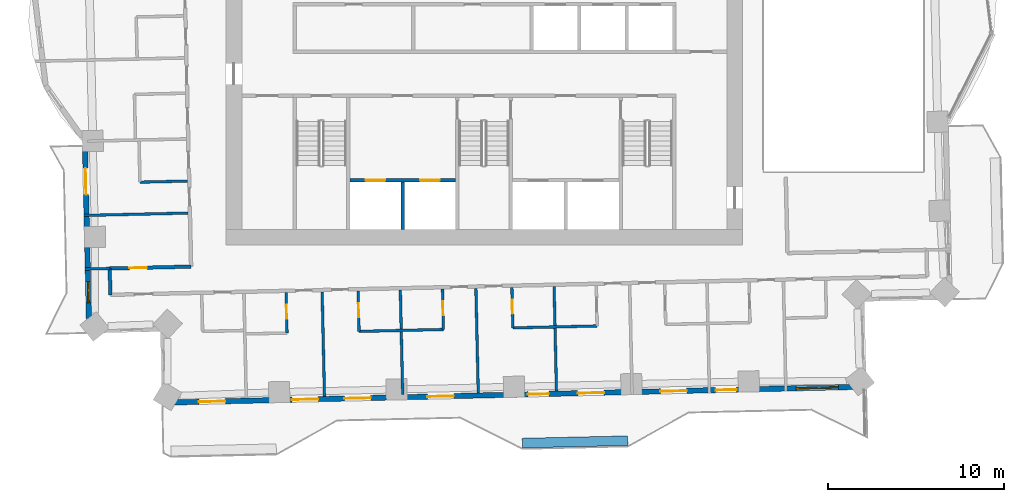
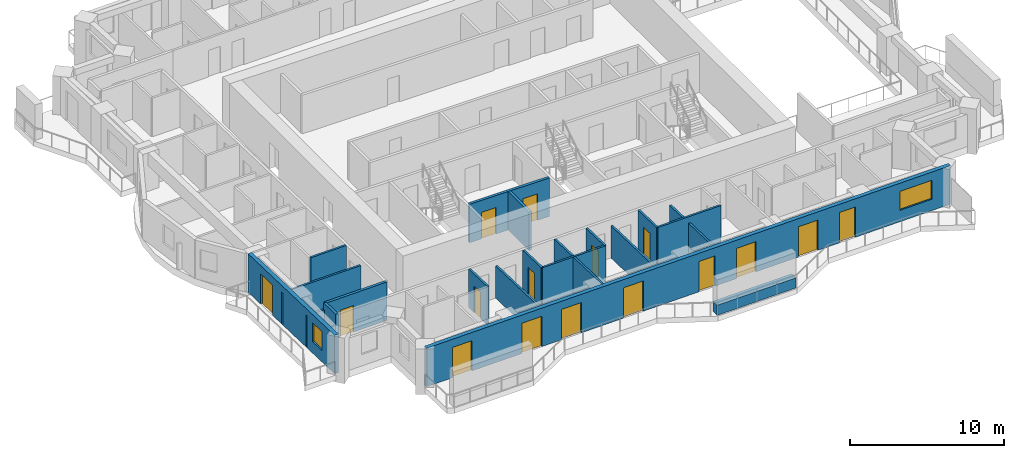
# One storey, part 6 of 16: 20 walls, 16 doors, 2 windows, 18 openings.
"""IFC4 building model written with IfcOpenShell, lengths in metres."""

from ifc_helpers import new_model, si_unit, direction, frame, frame_2d, origin, place, context, subcontext, project, spatial, rectangle, extrude, material, layer, layer_set, type_object, element, fill, save


model = new_model("IFC4")

# Units and contexts
model_context = context("Model", 3, precision=1e-05, world=origin(), true_north=direction((0.0, 1.0)))
body_context = subcontext(model_context, "Body", "Model", "MODEL_VIEW")
ifc_project = project(units=[si_unit("LENGTHUNIT", "METRE"), si_unit("AREAUNIT", "SQUARE_METRE"), si_unit("VOLUMEUNIT", "CUBIC_METRE"), si_unit("PLANEANGLEUNIT", "RADIAN"), si_unit("MASSUNIT", "GRAM", prefix="KILO")], contexts=[model_context])

# Site, building, storey
site_placement = place(None, origin())
site = spatial("IfcSite", under=ifc_project, at=site_placement, CompositionType="ELEMENT")
building_placement = place(site_placement, origin())
building = spatial("IfcBuilding", under=site, at=building_placement, Name="Mangrove Gate Tower", CompositionType="ELEMENT")
storey_placement = place(building_placement, frame((0.0, 0.0, 189.699951171875)))
storey = spatial("IfcBuildingStorey", under=building, at=storey_placement, Name="L48", CompositionType="ELEMENT", Elevation=189.699951171875)

# Wall, openings, doors
ifc_material_1 = material(Name="Concrete C60/75", Category="concrete")
ifc_layer_1 = layer(ifc_material_1, 0.199951171875)
ifc_layer_set_1 = layer_set([ifc_layer_1], Name="Core shaft wall 200 C60/75")
wall_type_1 = type_object("IfcWallType", Name="Core shaft wall 200 C60/75", PredefinedType="SHEAR", material=ifc_layer_set_1)
wall_1_placement = place(storey_placement, frame((-7.64990234375, -8.0, 0.0), z_axis=(0.0, 0.0, 1.0), x_axis=(1.0, 0.0, 0.0)))
wall_1 = element("IfcWall", 1, at=wall_1_placement, inside=storey, type_object=wall_type_1, Name="WALL-L48-CORE-15", PredefinedType="SHEAR", context=body_context, shape_type="SweptSolid", body=[
    extrude(rectangle(XDim=6.0, YDim=0.199951171875, at=frame_2d((3.0, 0.0))), origin(), (0.0, 0.0, 1.0), 3.050048828125),
])
opening_1_placement = place(wall_1_placement, frame((0.89990234375, 0.0, 0.0)))
opening_1 = element("IfcOpeningElement", 2, at=opening_1_placement, cuts=wall_1, Name="Opening LD", PredefinedType="OPENING", context=body_context, shape_type="SweptSolid", body=[
    extrude(rectangle(XDim=1.10009765625, YDim=2.10009765625, at=frame_2d((0.550048828125, 1.050048828125))), frame((0.0, 0.10986328125, 0.0), z_axis=(0.0, -1.0, 0.0), x_axis=(1.0, 0.0, 0.0)), (0.0, 0.0, 1.0), 0.219970703125),
])
opening_2_placement = place(wall_1_placement, frame((4.0, 0.0, 0.0)))
opening_2 = element("IfcOpeningElement", 3, at=opening_2_placement, cuts=wall_1, Name="Opening LD", PredefinedType="OPENING", context=body_context, shape_type="SweptSolid", body=[
    extrude(rectangle(XDim=1.10009765625, YDim=2.10009765625, at=frame_2d((0.550048828125, 1.050048828125))), frame((0.0, 0.10986328125, 0.0), z_axis=(0.0, -1.0, 0.0), x_axis=(1.0, 0.0, 0.0)), (0.0, 0.0, 1.0), 0.219970703125),
])
ifc_material_2 = material(Name="Stainless steel 316", Category="steel")
door_type_1 = type_object("IfcDoorType", Name="Lift landing door 1100x2100", OperationType="SLIDING_TO_LEFT", PredefinedType="DOOR", material=ifc_material_2)
door_1_placement = place(opening_1_placement, origin())
door_1 = element("IfcDoor", 4, at=door_1_placement, inside=storey, type_object=door_type_1, Name="Landing door LD SVL1", OperationType="SLIDING_TO_LEFT", OverallHeight=2.10009765625, OverallWidth=1.10009765625, PredefinedType="DOOR", context=body_context, shape_type="SweptSolid", body=[
    extrude(rectangle(XDim=1.10009765625, YDim=2.10009765625, at=frame_2d((0.550048828125, 1.050048828125))), frame((0.0, 0.02490234375, 0.0), z_axis=(0.0, -1.0, 0.0), x_axis=(1.0, 0.0, 0.0)), (0.0, 0.0, 1.0), 0.050048828125),
])
fill(opening_1, door_1)
door_2_placement = place(opening_2_placement, origin())
door_2 = element("IfcDoor", 5, at=door_2_placement, inside=storey, type_object=door_type_1, Name="Landing door LD SVL2", OperationType="SLIDING_TO_LEFT", OverallHeight=2.10009765625, OverallWidth=1.10009765625, PredefinedType="DOOR", context=body_context, shape_type="SweptSolid", body=[
    extrude(rectangle(XDim=1.10009765625, YDim=2.10009765625, at=frame_2d((0.550048828125, 1.050048828125))), frame((0.0, 0.02490234375, 0.0), z_axis=(0.0, -1.0, 0.0), x_axis=(1.0, 0.0, 0.0)), (0.0, 0.0, 1.0), 0.050048828125),
])
fill(opening_2, door_2)

# Walls
wall_2_placement = place(storey_placement, frame((-4.64990234375, -10.800048828125, 0.0), z_axis=(0.0, 0.0, 1.0), x_axis=(0.0, 1.0, 0.0)))
element("IfcWall", 6, at=wall_2_placement, inside=storey, type_object=wall_type_1, Name="WALL-L48-CORE-16", PredefinedType="SHEAR", context=body_context, shape_type="SweptSolid", body=[
    extrude(rectangle(XDim=2.699951171875, YDim=0.199951171875, at=frame_2d((1.35009765625, 0.0))), origin(), (0.0, 0.0, 1.0), 3.050048828125),
])
ifc_material_3 = material(Name="Gypsum board on steel stud, EI 60", Category="steel")
ifc_layer_2 = layer(ifc_material_3, 0.199951171875)
ifc_layer_set_2 = layer_set([ifc_layer_2], Name="Corridor wall EI 60")
wall_type_2 = type_object("IfcWallType", Name="Corridor wall EI 60", PredefinedType="PARTITIONING", material=ifc_layer_set_2)
wall_3_placement = place(storey_placement, frame((-21.279052734375, -14.52294921875, 0.0), z_axis=(0.0, 0.0, 1.0), x_axis=(-0.022632637625, 0.99974384905, 0.0)))
element("IfcWall", 7, at=wall_3_placement, inside=storey, type_object=wall_type_2, Name="WALL-L48-025", PredefinedType="PARTITIONING", context=body_context, shape_type="SweptSolid", body=[
    extrude(rectangle(XDim=1.49951171875, YDim=0.199951171875, at=frame_2d((0.749755859375, 0.0))), origin(), (0.0, 0.0, 1.0), 3.050048828125),
])

# Wall, opening, door
wall_4_placement = place(storey_placement, frame((-21.31298828125, -13.02392578125, 0.0), z_axis=(0.0, 0.0, 1.0), x_axis=(0.999738699021, 0.022858995594, 0.0)))
wall_4 = element("IfcWall", 8, at=wall_4_placement, inside=storey, type_object=wall_type_2, Name="WALL-L48-028", PredefinedType="PARTITIONING", context=body_context, shape_type="SweptSolid", body=[
    extrude(rectangle(XDim=4.63525390625, YDim=0.199951171875, at=frame_2d((2.317626953125, 0.0))), origin(), (0.0, 0.0, 1.0), 3.050048828125),
])
opening_3_placement = place(wall_4_placement, frame((1.117919921875, 0.0, 0.0)))
opening_3 = element("IfcOpeningElement", 9, at=opening_3_placement, cuts=wall_4, Name="Opening AD", PredefinedType="OPENING", context=body_context, shape_type="SweptSolid", body=[
    extrude(rectangle(XDim=1.0, YDim=2.10009765625, at=frame_2d((0.5, 1.050048828125))), frame((0.0, 0.10986328125, 0.0), z_axis=(0.0, -1.0, 0.0), x_axis=(1.0, 0.0, 0.0)), (0.0, 0.0, 1.0), 0.219970703125),
])
ifc_material_4 = material(Name="Timber door leaf", Category="wood")
door_type_2 = type_object("IfcDoorType", Name="Amenity door 1000", OperationType="SINGLE_SWING_LEFT", PredefinedType="DOOR", material=ifc_material_4)
door_3_placement = place(opening_3_placement, origin())
door_3 = element("IfcDoor", 10, at=door_3_placement, inside=storey, type_object=door_type_2, Name="DOOR-L48-STU-c5c", OperationType="SINGLE_SWING_LEFT", OverallHeight=2.10009765625, OverallWidth=1.0, PredefinedType="DOOR", context=body_context, shape_type="SweptSolid", body=[
    extrude(rectangle(XDim=1.0, YDim=2.10009765625, at=frame_2d((0.5, 1.050048828125))), frame((0.0, 0.02490234375, 0.0), z_axis=(0.0, -1.0, 0.0), x_axis=(1.0, 0.0, 0.0)), (0.0, 0.0, 1.0), 0.050048828125),
])
fill(opening_3, door_3)

# Wall, openings, door, window
ifc_material_5 = material(Name="Limestone", Category="masonry")
ifc_layer_3 = layer(ifc_material_5, 0.0400390625, Name="Limestone cladding")
ifc_material_6 = material(Name="Ventilated air gap")
ifc_layer_4 = layer(ifc_material_6, 0.0400390625, Name="Ventilated cavity")
ifc_material_7 = material(Name="Mineral wool insulation")
ifc_layer_5 = layer(ifc_material_7, 0.06005859375, Name="Insulation")
ifc_material_8 = material(Name="Breather membrane")
ifc_layer_6 = layer(ifc_material_8, 0.001953125, Name="Breather membrane")
ifc_material_9 = material(Name="Concrete C20/25 blockwork", Category="masonry")
ifc_layer_7 = layer(ifc_material_9, 0.14990234375, Name="Blockwork backing wall")
ifc_material_10 = material(Name="Gypsum plaster")
ifc_layer_8 = layer(ifc_material_10, 0.008056640625, Name="Internal plaster")
ifc_layer_set_3 = layer_set([ifc_layer_3, ifc_layer_4, ifc_layer_5, ifc_layer_6, ifc_layer_7, ifc_layer_8], Name="External wall 300 limestone cladding")
wall_type_3 = type_object("IfcWallType", Name="External wall 300 limestone cladding", PredefinedType="SOLIDWALL", material=ifc_layer_set_3)
wall_5_placement = place(storey_placement, frame((-22.72900390625, -5.72509765625, 0.0), z_axis=(0.0, 0.0, 1.0), x_axis=(0.022726014582, -0.999741730779, 0.0)))
wall_5 = element("IfcWall", 11, at=wall_5_placement, inside=storey, type_object=wall_type_3, Name="WALL-L48-W10", PredefinedType="SOLIDWALL", context=body_context, shape_type="SweptSolid", body=[
    extrude(rectangle(XDim=10.82861328125, YDim=0.300048828125, at=frame_2d((5.414306640625, 0.0))), origin(), (0.0, 0.0, 1.0), 3.050048828125),
])
opening_4_placement = place(wall_5_placement, frame((1.592041015625, 0.0, 0.0)))
opening_4 = element("IfcOpeningElement", 12, at=opening_4_placement, cuts=wall_5, Name="Opening BD1", PredefinedType="OPENING", context=body_context, shape_type="SweptSolid", body=[
    extrude(rectangle(XDim=1.5, YDim=2.39990234375, at=frame_2d((0.75, 1.199951171875))), frame((0.0, 0.159912109375, 0.0), z_axis=(0.0, -1.0, 0.0), x_axis=(1.0, 0.0, 0.0)), (0.0, 0.0, 1.0), 0.320068359375),
])
opening_5_placement = place(wall_5_placement, frame((8.050048828125, 0.0, 0.89990234375)))
opening_5 = element("IfcOpeningElement", 13, at=opening_5_placement, cuts=wall_5, Name="Opening W1", PredefinedType="OPENING", context=body_context, shape_type="SweptSolid", body=[
    extrude(rectangle(XDim=1.199951171875, YDim=1.5, at=frame_2d((0.60009765625, 0.75))), frame((0.0, 0.159912109375, 0.0), z_axis=(0.0, -1.0, 0.0), x_axis=(1.0, 0.0, 0.0)), (0.0, 0.0, 1.0), 0.320068359375),
])
ifc_material_11 = material(Name="Aluminium frame with laminated clear glass", Category="aluminium")
door_type_3 = type_object("IfcDoorType", Name="Balcony sliding door 1500x2400", OperationType="SLIDING_TO_LEFT", PredefinedType="DOOR", material=ifc_material_11)
door_4_placement = place(opening_4_placement, origin())
door_4 = element("IfcDoor", 14, at=door_4_placement, inside=storey, type_object=door_type_3, Name="DOOR-L48-W10-1", OperationType="SLIDING_TO_LEFT", OverallHeight=2.39990234375, OverallWidth=1.5, PredefinedType="DOOR", context=body_context, shape_type="SweptSolid", body=[
    extrude(rectangle(XDim=1.5, YDim=2.39990234375, at=frame_2d((0.75, 1.199951171875))), frame((0.0, 0.02490234375, 0.0), z_axis=(0.0, -1.0, 0.0), x_axis=(1.0, 0.0, 0.0)), (0.0, 0.0, 1.0), 0.050048828125),
])
fill(opening_4, door_4)
ifc_material_12 = material(Name="Aluminium frame with double-glazed low-e glass", Category="aluminium")
window_type_1 = type_object("IfcWindowType", Name="Side lite 1200x1500", PartitioningType="SINGLE_PANEL", PredefinedType="WINDOW", material=ifc_material_12)
window_1_placement = place(opening_5_placement, origin())
window_1 = element("IfcWindow", 15, at=window_1_placement, inside=storey, type_object=window_type_1, Name="WIN-L48-W10-2", OverallHeight=1.5, OverallWidth=1.199951171875, PartitioningType="SINGLE_PANEL", PredefinedType="WINDOW", context=body_context, shape_type="SweptSolid", body=[
    extrude(rectangle(XDim=1.199951171875, YDim=1.5, at=frame_2d((0.60009765625, 0.75))), frame((0.0, 0.030029296875, 0.0), z_axis=(0.0, -1.0, 0.0), x_axis=(1.0, 0.0, 0.0)), (0.0, 0.0, 1.0), 0.06005859375),
])
fill(opening_5, window_1)

# Wall, openings, doors, window
wall_6_placement = place(storey_placement, frame((-18.18896484375, -20.655029296875, 0.0), z_axis=(0.0, 0.0, 1.0), x_axis=(0.999742285265, 0.022701609063, 0.0)))
wall_6 = element("IfcWall", 16, at=wall_6_placement, inside=storey, type_object=wall_type_3, Name="WALL-L48-S13", PredefinedType="SOLIDWALL", context=body_context, shape_type="SweptSolid", body=[
    extrude(rectangle(XDim=39.7802734375, YDim=0.300048828125, at=frame_2d((19.89013671875, 0.0))), origin(), (0.0, 0.0, 1.0), 3.050048828125),
])
opening_6_placement = place(wall_6_placement, frame((1.947998046875, 0.0, 0.0)))
opening_6 = element("IfcOpeningElement", 17, at=opening_6_placement, cuts=wall_6, Name="Opening BD1", PredefinedType="OPENING", context=body_context, shape_type="SweptSolid", body=[
    extrude(rectangle(XDim=1.5, YDim=2.39990234375, at=frame_2d((0.75, 1.199951171875))), frame((0.0, 0.159912109375, 0.0), z_axis=(0.0, -1.0, 0.0), x_axis=(1.0, 0.0, 0.0)), (0.0, 0.0, 1.0), 0.320068359375),
])
opening_7_placement = place(wall_6_placement, frame((7.239990234375, 0.0, 0.0)))
opening_7 = element("IfcOpeningElement", 18, at=opening_7_placement, cuts=wall_6, Name="Opening BD1", PredefinedType="OPENING", context=body_context, shape_type="SweptSolid", body=[
    extrude(rectangle(XDim=1.5, YDim=2.39990234375, at=frame_2d((0.75, 1.199951171875))), frame((0.0, 0.159912109375, 0.0), z_axis=(0.0, -1.0, 0.0), x_axis=(1.0, 0.0, 0.0)), (0.0, 0.0, 1.0), 0.320068359375),
])
opening_8_placement = place(wall_6_placement, frame((10.22998046875, 0.0, 0.0)))
opening_8 = element("IfcOpeningElement", 19, at=opening_8_placement, cuts=wall_6, Name="Opening BD1", PredefinedType="OPENING", context=body_context, shape_type="SweptSolid", body=[
    extrude(rectangle(XDim=1.5, YDim=2.39990234375, at=frame_2d((0.75, 1.199951171875))), frame((0.0, 0.159912109375, 0.0), z_axis=(0.0, -1.0, 0.0), x_axis=(1.0, 0.0, 0.0)), (0.0, 0.0, 1.0), 0.320068359375),
])
opening_9_placement = place(wall_6_placement, frame((14.955078125, 0.0, 0.0)))
opening_9 = element("IfcOpeningElement", 20, at=opening_9_placement, cuts=wall_6, Name="Opening BD1", PredefinedType="OPENING", context=body_context, shape_type="SweptSolid", body=[
    extrude(rectangle(XDim=1.5, YDim=2.39990234375, at=frame_2d((0.75, 1.199951171875))), frame((0.0, 0.159912109375, 0.0), z_axis=(0.0, -1.0, 0.0), x_axis=(1.0, 0.0, 0.0)), (0.0, 0.0, 1.0), 0.320068359375),
])
opening_10_placement = place(wall_6_placement, frame((20.669921875, 0.0, 0.0)))
opening_10 = element("IfcOpeningElement", 21, at=opening_10_placement, cuts=wall_6, Name="Opening BD2", PredefinedType="OPENING", context=body_context, shape_type="SweptSolid", body=[
    extrude(rectangle(XDim=1.199951171875, YDim=2.39990234375, at=frame_2d((0.60009765625, 1.199951171875))), frame((0.0, 0.159912109375, 0.0), z_axis=(0.0, -1.0, 0.0), x_axis=(1.0, 0.0, 0.0)), (0.0, 0.0, 1.0), 0.320068359375),
])
opening_11_placement = place(wall_6_placement, frame((23.510009765625, 0.0, 0.0)))
opening_11 = element("IfcOpeningElement", 22, at=opening_11_placement, cuts=wall_6, Name="Opening BD1", PredefinedType="OPENING", context=body_context, shape_type="SweptSolid", body=[
    extrude(rectangle(XDim=1.5, YDim=2.39990234375, at=frame_2d((0.75, 1.199951171875))), frame((0.0, 0.159912109375, 0.0), z_axis=(0.0, -1.0, 0.0), x_axis=(1.0, 0.0, 0.0)), (0.0, 0.0, 1.0), 0.320068359375),
])
opening_12_placement = place(wall_6_placement, frame((28.2099609375, 0.0, 0.0)))
opening_12 = element("IfcOpeningElement", 23, at=opening_12_placement, cuts=wall_6, Name="Opening BD1", PredefinedType="OPENING", context=body_context, shape_type="SweptSolid", body=[
    extrude(rectangle(XDim=1.5, YDim=2.39990234375, at=frame_2d((0.75, 1.199951171875))), frame((0.0, 0.159912109375, 0.0), z_axis=(0.0, -1.0, 0.0), x_axis=(1.0, 0.0, 0.0)), (0.0, 0.0, 1.0), 0.320068359375),
])
opening_13_placement = place(wall_6_placement, frame((31.35009765625, 0.0, 0.0)))
opening_13 = element("IfcOpeningElement", 24, at=opening_13_placement, cuts=wall_6, Name="Opening BD2", PredefinedType="OPENING", context=body_context, shape_type="SweptSolid", body=[
    extrude(rectangle(XDim=1.199951171875, YDim=2.39990234375, at=frame_2d((0.60009765625, 1.199951171875))), frame((0.0, 0.159912109375, 0.0), z_axis=(0.0, -1.0, 0.0), x_axis=(1.0, 0.0, 0.0)), (0.0, 0.0, 1.0), 0.320068359375),
])
opening_14_placement = place(wall_6_placement, frame((35.93994140625, 0.0, 0.89990234375)))
opening_14 = element("IfcOpeningElement", 25, at=opening_14_placement, cuts=wall_6, Name="Opening W2", PredefinedType="OPENING", context=body_context, shape_type="SweptSolid", body=[
    extrude(rectangle(XDim=2.39990234375, YDim=1.5, at=frame_2d((1.199951171875, 0.75))), frame((0.0, 0.159912109375, 0.0), z_axis=(0.0, -1.0, 0.0), x_axis=(1.0, 0.0, 0.0)), (0.0, 0.0, 1.0), 0.320068359375),
])
ifc_material_13 = material(Name="Aluminium frame with laminated clear glass", Category="aluminium")
door_type_4 = type_object("IfcDoorType", Name="Balcony sliding door 1200x2400", OperationType="SLIDING_TO_LEFT", PredefinedType="DOOR", material=ifc_material_13)
door_5_placement = place(opening_10_placement, origin())
door_5 = element("IfcDoor", 26, at=door_5_placement, inside=storey, type_object=door_type_4, Name="DOOR-L48-S13-5", OperationType="SLIDING_TO_LEFT", OverallHeight=2.39990234375, OverallWidth=1.199951171875, PredefinedType="DOOR", context=body_context, shape_type="SweptSolid", body=[
    extrude(rectangle(XDim=1.199951171875, YDim=2.39990234375, at=frame_2d((0.60009765625, 1.199951171875))), frame((0.0, 0.02490234375, 0.0), z_axis=(0.0, -1.0, 0.0), x_axis=(1.0, 0.0, 0.0)), (0.0, 0.0, 1.0), 0.050048828125),
])
fill(opening_10, door_5)
door_6_placement = place(opening_13_placement, origin())
door_6 = element("IfcDoor", 27, at=door_6_placement, inside=storey, type_object=door_type_4, Name="DOOR-L48-S13-8", OperationType="SLIDING_TO_LEFT", OverallHeight=2.39990234375, OverallWidth=1.199951171875, PredefinedType="DOOR", context=body_context, shape_type="SweptSolid", body=[
    extrude(rectangle(XDim=1.199951171875, YDim=2.39990234375, at=frame_2d((0.60009765625, 1.199951171875))), frame((0.0, 0.02490234375, 0.0), z_axis=(0.0, -1.0, 0.0), x_axis=(1.0, 0.0, 0.0)), (0.0, 0.0, 1.0), 0.050048828125),
])
fill(opening_13, door_6)
door_7_placement = place(opening_6_placement, origin())
door_7 = element("IfcDoor", 28, at=door_7_placement, inside=storey, type_object=door_type_3, Name="DOOR-L48-S13-1", OperationType="SLIDING_TO_LEFT", OverallHeight=2.39990234375, OverallWidth=1.5, PredefinedType="DOOR", context=body_context, shape_type="SweptSolid", body=[
    extrude(rectangle(XDim=1.5, YDim=2.39990234375, at=frame_2d((0.75, 1.199951171875))), frame((0.0, 0.02490234375, 0.0), z_axis=(0.0, -1.0, 0.0), x_axis=(1.0, 0.0, 0.0)), (0.0, 0.0, 1.0), 0.050048828125),
])
fill(opening_6, door_7)
door_8_placement = place(opening_7_placement, origin())
door_8 = element("IfcDoor", 29, at=door_8_placement, inside=storey, type_object=door_type_3, Name="DOOR-L48-S13-2", OperationType="SLIDING_TO_LEFT", OverallHeight=2.39990234375, OverallWidth=1.5, PredefinedType="DOOR", context=body_context, shape_type="SweptSolid", body=[
    extrude(rectangle(XDim=1.5, YDim=2.39990234375, at=frame_2d((0.75, 1.199951171875))), frame((0.0, 0.02490234375, 0.0), z_axis=(0.0, -1.0, 0.0), x_axis=(1.0, 0.0, 0.0)), (0.0, 0.0, 1.0), 0.050048828125),
])
fill(opening_7, door_8)
door_9_placement = place(opening_8_placement, origin())
door_9 = element("IfcDoor", 30, at=door_9_placement, inside=storey, type_object=door_type_3, Name="DOOR-L48-S13-3", OperationType="SLIDING_TO_LEFT", OverallHeight=2.39990234375, OverallWidth=1.5, PredefinedType="DOOR", context=body_context, shape_type="SweptSolid", body=[
    extrude(rectangle(XDim=1.5, YDim=2.39990234375, at=frame_2d((0.75, 1.199951171875))), frame((0.0, 0.02490234375, 0.0), z_axis=(0.0, -1.0, 0.0), x_axis=(1.0, 0.0, 0.0)), (0.0, 0.0, 1.0), 0.050048828125),
])
fill(opening_8, door_9)
door_10_placement = place(opening_9_placement, origin())
door_10 = element("IfcDoor", 31, at=door_10_placement, inside=storey, type_object=door_type_3, Name="DOOR-L48-S13-4", OperationType="SLIDING_TO_LEFT", OverallHeight=2.39990234375, OverallWidth=1.5, PredefinedType="DOOR", context=body_context, shape_type="SweptSolid", body=[
    extrude(rectangle(XDim=1.5, YDim=2.39990234375, at=frame_2d((0.75, 1.199951171875))), frame((0.0, 0.02490234375, 0.0), z_axis=(0.0, -1.0, 0.0), x_axis=(1.0, 0.0, 0.0)), (0.0, 0.0, 1.0), 0.050048828125),
])
fill(opening_9, door_10)
door_11_placement = place(opening_11_placement, origin())
door_11 = element("IfcDoor", 32, at=door_11_placement, inside=storey, type_object=door_type_3, Name="DOOR-L48-S13-6", OperationType="SLIDING_TO_LEFT", OverallHeight=2.39990234375, OverallWidth=1.5, PredefinedType="DOOR", context=body_context, shape_type="SweptSolid", body=[
    extrude(rectangle(XDim=1.5, YDim=2.39990234375, at=frame_2d((0.75, 1.199951171875))), frame((0.0, 0.02490234375, 0.0), z_axis=(0.0, -1.0, 0.0), x_axis=(1.0, 0.0, 0.0)), (0.0, 0.0, 1.0), 0.050048828125),
])
fill(opening_11, door_11)
door_12_placement = place(opening_12_placement, origin())
door_12 = element("IfcDoor", 33, at=door_12_placement, inside=storey, type_object=door_type_3, Name="DOOR-L48-S13-7", OperationType="SLIDING_TO_LEFT", OverallHeight=2.39990234375, OverallWidth=1.5, PredefinedType="DOOR", context=body_context, shape_type="SweptSolid", body=[
    extrude(rectangle(XDim=1.5, YDim=2.39990234375, at=frame_2d((0.75, 1.199951171875))), frame((0.0, 0.02490234375, 0.0), z_axis=(0.0, -1.0, 0.0), x_axis=(1.0, 0.0, 0.0)), (0.0, 0.0, 1.0), 0.050048828125),
])
fill(opening_12, door_12)
ifc_material_14 = material(Name="Aluminium frame with double-glazed low-e glass", Category="aluminium")
window_type_2 = type_object("IfcWindowType", Name="Corner room window 2400x1500", PartitioningType="DOUBLE_PANEL_VERTICAL", PredefinedType="WINDOW", material=ifc_material_14)
window_2_placement = place(opening_14_placement, origin())
window_2 = element("IfcWindow", 34, at=window_2_placement, inside=storey, type_object=window_type_2, Name="WIN-L48-S13-9", OverallHeight=1.5, OverallWidth=2.39990234375, PartitioningType="DOUBLE_PANEL_VERTICAL", PredefinedType="WINDOW", context=body_context, shape_type="SweptSolid", body=[
    extrude(rectangle(XDim=2.39990234375, YDim=1.5, at=frame_2d((1.199951171875, 0.75))), frame((0.0, 0.030029296875, 0.0), z_axis=(0.0, -1.0, 0.0), x_axis=(1.0, 0.0, 0.0)), (0.0, 0.0, 1.0), 0.06005859375),
])
fill(opening_14, window_2)

# Walls
ifc_material_15 = material(Name="Gypsum board on steel stud, EI 60", Category="steel")
ifc_layer_9 = layer(ifc_material_15, 0.14990234375)
ifc_layer_set_4 = layer_set([ifc_layer_9], Name="Party wall 150 EI 60")
wall_type_4 = type_object("IfcWallType", Name="Party wall 150 EI 60", PredefinedType="PARTITIONING", material=ifc_layer_set_4)
wall_7_placement = place(storey_placement, frame((-9.094970703125, -20.298095703125, 0.0), z_axis=(0.0, 0.0, 1.0), x_axis=(-0.022692509051, 0.999742491861, 0.0)))
element("IfcWall", 35, at=wall_7_placement, inside=storey, type_object=wall_type_4, Name="WALL-L48-002", PredefinedType="PARTITIONING", context=body_context, shape_type="SweptSolid", body=[
    extrude(rectangle(XDim=5.949462890625, YDim=0.14990234375, at=frame_2d((2.974609375, 0.0))), origin(), (0.0, 0.0, 1.0), 2.550048828125),
])
wall_8_placement = place(storey_placement, frame((-4.64599609375, -20.197021484375, 0.0), z_axis=(0.0, 0.0, 1.0), x_axis=(-0.022692509051, 0.999742491861, 0.0)))
element("IfcWall", 36, at=wall_8_placement, inside=storey, type_object=wall_type_4, Name="WALL-L48-003", PredefinedType="PARTITIONING", context=body_context, shape_type="SweptSolid", body=[
    extrude(rectangle(XDim=5.949462890625, YDim=0.14990234375, at=frame_2d((2.974609375, 0.0))), origin(), (0.0, 0.0, 1.0), 3.050048828125),
])
wall_9_placement = place(storey_placement, frame((-0.346923828125, -20.10009765625, 0.0), z_axis=(0.0, 0.0, 1.0), x_axis=(-0.022687855237, 0.999742597484, 0.0)))
element("IfcWall", 37, at=wall_9_placement, inside=storey, type_object=wall_type_4, Name="WALL-L48-004", PredefinedType="PARTITIONING", context=body_context, shape_type="SweptSolid", body=[
    extrude(rectangle(XDim=5.95068359375, YDim=0.14990234375, at=frame_2d((2.975341796875, 0.0))), origin(), (0.0, 0.0, 1.0), 2.550048828125),
])
wall_10_placement = place(storey_placement, frame((4.10205078125, -19.9990234375, 0.0), z_axis=(0.0, 0.0, 1.0), x_axis=(-0.022688785847, 0.999742576365, 0.0)))
element("IfcWall", 38, at=wall_10_placement, inside=storey, type_object=wall_type_4, Name="WALL-L48-005", PredefinedType="PARTITIONING", context=body_context, shape_type="SweptSolid", body=[
    extrude(rectangle(XDim=5.950439453125, YDim=0.14990234375, at=frame_2d((2.97509765625, 0.0))), origin(), (0.0, 0.0, 1.0), 2.550048828125),
])

# Wall, opening, door
wall_11_placement = place(storey_placement, frame((-11.22705078125, -16.696044921875, 0.0), z_axis=(0.0, 0.0, 1.0), x_axis=(-0.022603288534, 0.999744513037, 0.0)))
wall_11 = element("IfcWall", 39, at=wall_11_placement, inside=storey, type_object=wall_type_4, Name="WALL-L48-010", PredefinedType="PARTITIONING", context=body_context, shape_type="SweptSolid", body=[
    extrude(rectangle(XDim=2.300537109375, YDim=0.14990234375, at=frame_2d((1.150390625, 0.0))), origin(), (0.0, 0.0, 1.0), 3.050048828125),
])
opening_15_placement = place(wall_11_placement, frame((0.800048828125, 0.0, 0.0)))
opening_15 = element("IfcOpeningElement", 40, at=opening_15_placement, cuts=wall_11, Name="Opening ED", PredefinedType="OPENING", context=body_context, shape_type="SweptSolid", body=[
    extrude(rectangle(XDim=0.800048828125, YDim=2.10009765625, at=frame_2d((0.39990234375, 1.050048828125))), frame((0.0, 0.0849609375, 0.0), z_axis=(0.0, -1.0, 0.0), x_axis=(1.0, 0.0, 0.0)), (0.0, 0.0, 1.0), 0.169921875),
])
ifc_material_16 = material(Name="Timber door leaf", Category="wood")
door_type_5 = type_object("IfcDoorType", Name="En-suite door 800", OperationType="SINGLE_SWING_LEFT", PredefinedType="DOOR", material=ifc_material_16)
door_13_placement = place(opening_15_placement, origin())
door_13 = element("IfcDoor", 41, at=door_13_placement, inside=storey, type_object=door_type_5, Name="DOOR-L48-ENS-c101", OperationType="SINGLE_SWING_LEFT", OverallHeight=2.10009765625, OverallWidth=0.800048828125, PredefinedType="DOOR", context=body_context, shape_type="SweptSolid", body=[
    extrude(rectangle(XDim=0.800048828125, YDim=2.10009765625, at=frame_2d((0.39990234375, 1.050048828125))), frame((0.0, 0.02490234375, 0.0), z_axis=(0.0, -1.0, 0.0), x_axis=(1.0, 0.0, 0.0)), (0.0, 0.0, 1.0), 0.050048828125),
])
fill(opening_15, door_13)

# Wall
wall_12_placement = place(storey_placement, frame((-7.1279296875, -16.60302734375, 0.0), z_axis=(0.0, 0.0, 1.0), x_axis=(0.999741520352, 0.022735269617, 0.0)))
element("IfcWall", 42, at=wall_12_placement, inside=storey, type_object=wall_type_4, Name="WALL-L48-011", PredefinedType="PARTITIONING", context=body_context, shape_type="SweptSolid", body=[
    extrude(rectangle(XDim=4.800048828125, YDim=0.14990234375, at=frame_2d((2.39990234375, 0.0))), origin(), (0.0, 0.0, 1.0), 3.050048828125),
])

# Wall, opening, door
wall_13_placement = place(storey_placement, frame((-7.1279296875, -16.60302734375, 0.0), z_axis=(0.0, 0.0, 1.0), x_axis=(-0.022603288534, 0.999744513037, 0.0)))
wall_13 = element("IfcWall", 43, at=wall_13_placement, inside=storey, type_object=wall_type_4, Name="WALL-L48-012", PredefinedType="PARTITIONING", context=body_context, shape_type="SweptSolid", body=[
    extrude(rectangle(XDim=2.300537109375, YDim=0.14990234375, at=frame_2d((1.150390625, 0.0))), origin(), (0.0, 0.0, 1.0), 3.050048828125),
])
opening_16_placement = place(wall_13_placement, frame((0.800048828125, 0.0, 0.0)))
opening_16 = element("IfcOpeningElement", 44, at=opening_16_placement, cuts=wall_13, Name="Opening ED", PredefinedType="OPENING", context=body_context, shape_type="SweptSolid", body=[
    extrude(rectangle(XDim=0.800048828125, YDim=2.10009765625, at=frame_2d((0.39990234375, 1.050048828125))), frame((0.0, 0.0849609375, 0.0), z_axis=(0.0, -1.0, 0.0), x_axis=(1.0, 0.0, 0.0)), (0.0, 0.0, 1.0), 0.169921875),
])
door_14_placement = place(opening_16_placement, origin())
door_14 = element("IfcDoor", 45, at=door_14_placement, inside=storey, type_object=door_type_5, Name="DOOR-L48-ENS-c102", OperationType="SINGLE_SWING_RIGHT", OverallHeight=2.10009765625, OverallWidth=0.800048828125, PredefinedType="DOOR", context=body_context, shape_type="SweptSolid", body=[
    extrude(rectangle(XDim=0.800048828125, YDim=2.10009765625, at=frame_2d((0.39990234375, 1.050048828125))), frame((0.0, 0.02490234375, 0.0), z_axis=(0.0, -1.0, 0.0), x_axis=(1.0, 0.0, 0.0)), (0.0, 0.0, 1.0), 0.050048828125),
])
fill(opening_16, door_14)

wall_14_placement = place(storey_placement, frame((-2.3291015625, -16.493896484375, 0.0), z_axis=(0.0, 0.0, 1.0), x_axis=(-0.023029983665, 0.999734774754, 0.0)))
wall_14 = element("IfcWall", 46, at=wall_14_placement, inside=storey, type_object=wall_type_4, Name="WALL-L48-013", PredefinedType="PARTITIONING", context=body_context, shape_type="SweptSolid", body=[
    extrude(rectangle(XDim=2.30029296875, YDim=0.14990234375, at=frame_2d((1.150146484375, 0.0))), origin(), (0.0, 0.0, 1.0), 3.050048828125),
])
opening_17_placement = place(wall_14_placement, frame((0.800048828125, 0.0, 0.0)))
opening_17 = element("IfcOpeningElement", 47, at=opening_17_placement, cuts=wall_14, Name="Opening ED", PredefinedType="OPENING", context=body_context, shape_type="SweptSolid", body=[
    extrude(rectangle(XDim=0.800048828125, YDim=2.10009765625, at=frame_2d((0.39990234375, 1.050048828125))), frame((0.0, 0.0849609375, 0.0), z_axis=(0.0, -1.0, 0.0), x_axis=(1.0, 0.0, 0.0)), (0.0, 0.0, 1.0), 0.169921875),
])
door_15_placement = place(opening_17_placement, origin())
door_15 = element("IfcDoor", 48, at=door_15_placement, inside=storey, type_object=door_type_5, Name="DOOR-L48-ENS-c103", OperationType="SINGLE_SWING_LEFT", OverallHeight=2.10009765625, OverallWidth=0.800048828125, PredefinedType="DOOR", context=body_context, shape_type="SweptSolid", body=[
    extrude(rectangle(XDim=0.800048828125, YDim=2.10009765625, at=frame_2d((0.39990234375, 1.050048828125))), frame((0.0, 0.02490234375, 0.0), z_axis=(0.0, -1.0, 0.0), x_axis=(1.0, 0.0, 0.0)), (0.0, 0.0, 1.0), 0.050048828125),
])
fill(opening_17, door_15)

# Wall
wall_15_placement = place(storey_placement, frame((1.6201171875, -16.404052734375, 0.0), z_axis=(0.0, 0.0, 1.0), x_axis=(0.999741415159, 0.022739894798, 0.0)))
element("IfcWall", 49, at=wall_15_placement, inside=storey, type_object=wall_type_4, Name="WALL-L48-014", PredefinedType="PARTITIONING", context=body_context, shape_type="SweptSolid", body=[
    extrude(rectangle(XDim=4.799072265625, YDim=0.14990234375, at=frame_2d((2.3994140625, 0.0))), origin(), (0.0, 0.0, 1.0), 3.050048828125),
])

# Wall, opening, door
wall_16_placement = place(storey_placement, frame((1.6201171875, -16.404052734375, 0.0), z_axis=(0.0, 0.0, 1.0), x_axis=(-0.023143422514, 0.999732155127, 0.0)))
wall_16 = element("IfcWall", 50, at=wall_16_placement, inside=storey, type_object=wall_type_4, Name="WALL-L48-015", PredefinedType="PARTITIONING", context=body_context, shape_type="SweptSolid", body=[
    extrude(rectangle(XDim=2.2998046875, YDim=0.14990234375, at=frame_2d((1.14990234375, 0.0))), origin(), (0.0, 0.0, 1.0), 3.050048828125),
])
opening_18_placement = place(wall_16_placement, frame((0.800048828125, 0.0, 0.0)))
opening_18 = element("IfcOpeningElement", 51, at=opening_18_placement, cuts=wall_16, Name="Opening ED", PredefinedType="OPENING", context=body_context, shape_type="SweptSolid", body=[
    extrude(rectangle(XDim=0.800048828125, YDim=2.10009765625, at=frame_2d((0.39990234375, 1.050048828125))), frame((0.0, 0.0849609375, 0.0), z_axis=(0.0, -1.0, 0.0), x_axis=(1.0, 0.0, 0.0)), (0.0, 0.0, 1.0), 0.169921875),
])
door_16_placement = place(opening_18_placement, origin())
door_16 = element("IfcDoor", 52, at=door_16_placement, inside=storey, type_object=door_type_5, Name="DOOR-L48-ENS-c204", OperationType="SINGLE_SWING_RIGHT", OverallHeight=2.10009765625, OverallWidth=0.800048828125, PredefinedType="DOOR", context=body_context, shape_type="SweptSolid", body=[
    extrude(rectangle(XDim=0.800048828125, YDim=2.10009765625, at=frame_2d((0.39990234375, 1.050048828125))), frame((0.0, 0.02490234375, 0.0), z_axis=(0.0, -1.0, 0.0), x_axis=(1.0, 0.0, 0.0)), (0.0, 0.0, 1.0), 0.050048828125),
])
fill(opening_18, door_16)

# Walls
wall_17_placement = place(storey_placement, frame((-22.712890625, -13.054931640625, 0.0), z_axis=(0.0, 0.0, 1.0), x_axis=(0.999756172383, 0.022081571112, 0.0)))
element("IfcWall", 53, at=wall_17_placement, inside=storey, type_object=wall_type_4, Name="WALL-L48-027", PredefinedType="PARTITIONING", context=body_context, shape_type="SweptSolid", body=[
    extrude(rectangle(XDim=1.404052734375, YDim=0.14990234375, at=frame_2d((0.7021484375, 0.0))), origin(), (0.0, 0.0, 1.0), 2.550048828125),
])
wall_18_placement = place(storey_placement, frame((-22.781982421875, -10.006103515625, 0.0), z_axis=(0.0, 0.0, 1.0), x_axis=(0.999745010927, 0.02258125611, 0.0)))
element("IfcWall", 54, at=wall_18_placement, inside=storey, type_object=wall_type_4, Name="WALL-L48-033", PredefinedType="PARTITIONING", context=body_context, shape_type="SweptSolid", body=[
    extrude(rectangle(XDim=5.935546875, YDim=0.14990234375, at=frame_2d((2.9677734375, 0.0))), origin(), (0.0, 0.0, 1.0), 2.550048828125),
])
wall_19_placement = place(storey_placement, frame((-19.589111328125, -8.113037109375, 0.0), z_axis=(0.0, 0.0, 1.0), x_axis=(0.999744443191, 0.022606377605, 0.0)))
element("IfcWall", 55, at=wall_19_placement, inside=storey, type_object=wall_type_4, Name="WALL-L48-034", PredefinedType="PARTITIONING", context=body_context, shape_type="SweptSolid", body=[
    extrude(rectangle(XDim=2.699951171875, YDim=0.14990234375, at=frame_2d((1.35009765625, 0.0))), origin(), (0.0, 0.0, 1.0), 3.050048828125),
])
ifc_material_17 = material(Name="Concrete C32/40", Category="concrete")
ifc_layer_10 = layer(ifc_material_17, 0.199951171875, Name="Planter trough wall")
ifc_material_18 = material(Name="Bituminous waterproofing membrane")
ifc_layer_11 = layer(ifc_material_18, 0.0048828125, Name="Waterproofing")
ifc_material_19 = material(Name="Drainage board and gravel")
ifc_layer_12 = layer(ifc_material_19, 0.044921875, Name="Drainage layer")
ifc_material_20 = material(Name="Planting soil")
ifc_layer_13 = layer(ifc_material_20, 0.300048828125, Name="Growing medium")
ifc_layer_set_5 = layer_set([ifc_layer_10, ifc_layer_11, ifc_layer_12, ifc_layer_13], Name="Planter wall 550 C32/40")
wall_type_5 = type_object("IfcWallType", Name="Planter wall 550 C32/40", PredefinedType="USERDEFINED", material=ifc_layer_set_5)
wall_20_placement = place(storey_placement, frame((2.158935546875, -22.958984375, 0.0), z_axis=(0.0, 0.0, 1.0), x_axis=(0.999743094499, 0.022665943652, 0.0)))
element("IfcWall", 56, at=wall_20_placement, inside=storey, type_object=wall_type_5, Name="PLANTER L48 S1.1", ObjectType="PLANTER", PredefinedType="USERDEFINED", context=body_context, shape_type="SweptSolid", body=[
    extrude(rectangle(XDim=5.99951171875, YDim=0.550048828125, at=frame_2d((2.999755859375, 0.0))), origin(), (0.0, 0.0, 1.0), 0.800048828125),
])

save(model, "model.ifc")
